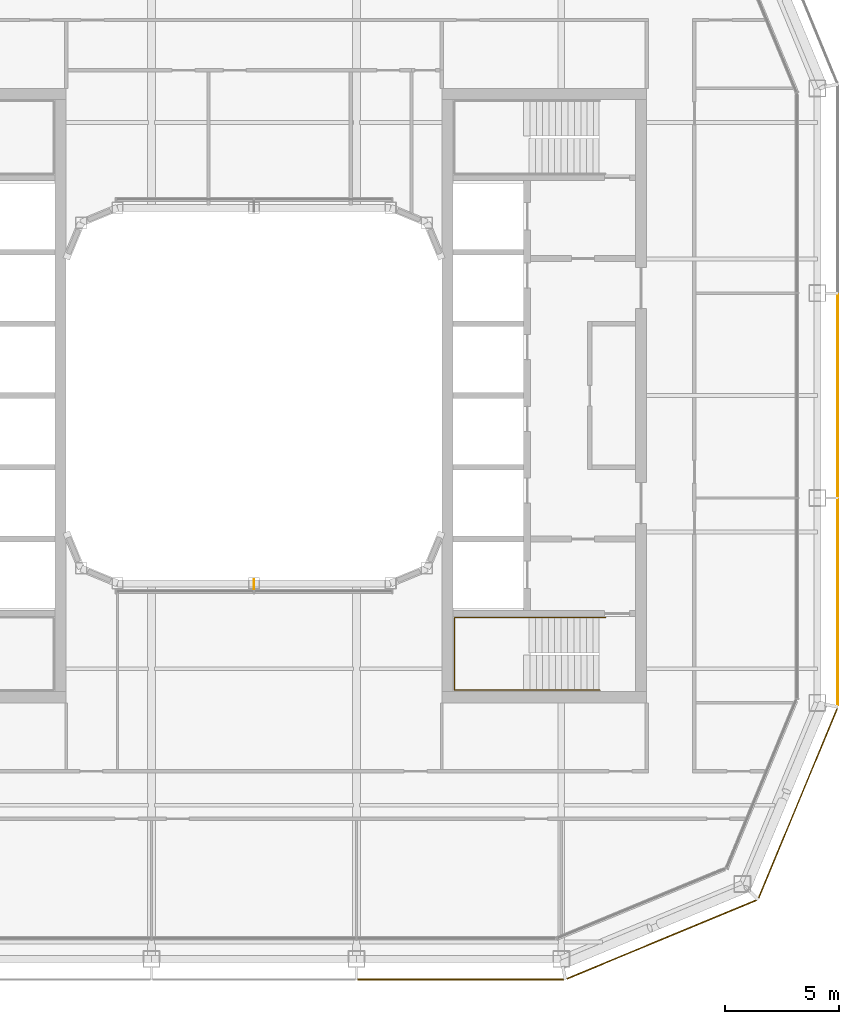
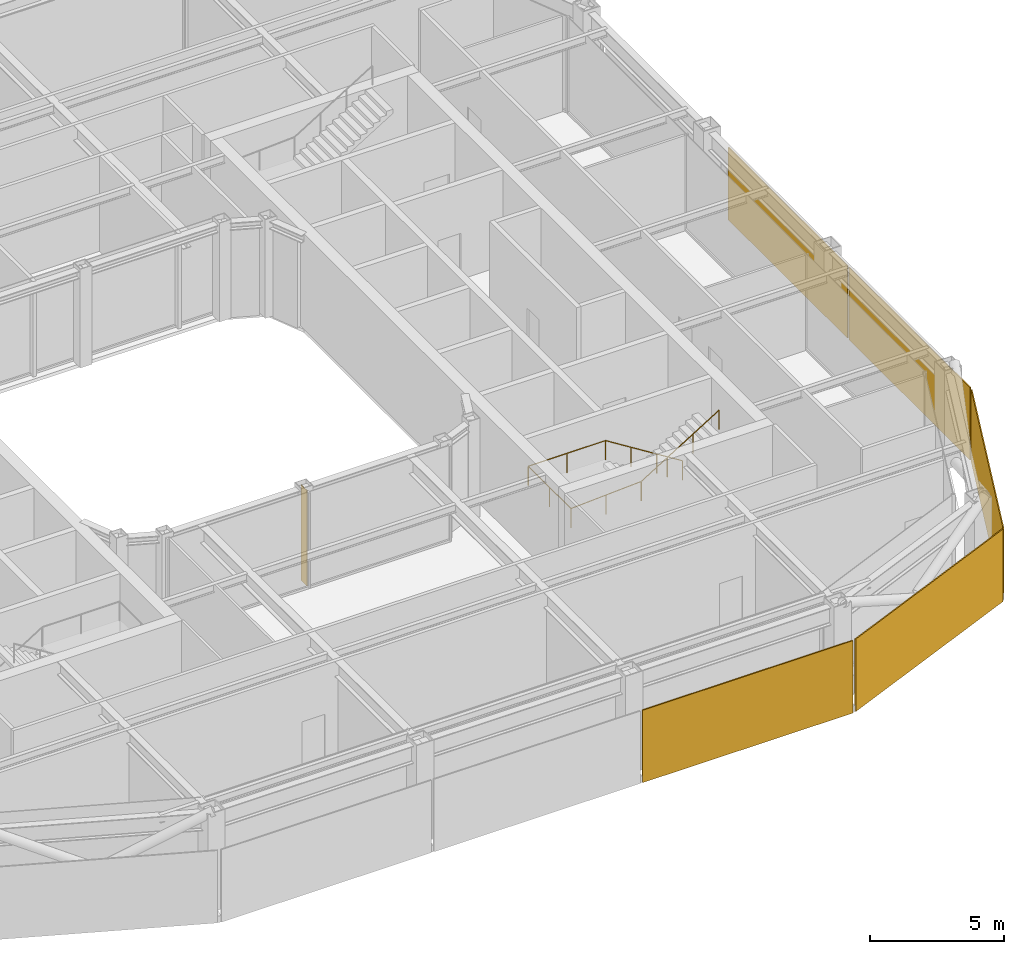
# One storey, part 15 of 17: 5 coverings, 1 railing, 1 shading device.
"""IFC4 building model written with IfcOpenShell, lengths in metres."""

from ifc_helpers import new_model, si_unit, direction, frame, origin, origin_2d, place, context, subcontext, project, spatial, rectangle, circle, extrude, material, layer, layer_set, type_object, element, save


model = new_model("IFC4")

# Units and contexts
model_context = context("Model", 3, precision=1e-05, world=origin(), true_north=direction((0.0, 1.0)))
body_context = subcontext(model_context, "Body", "Model", "MODEL_VIEW")
ifc_project = project(units=[si_unit("LENGTHUNIT", "METRE"), si_unit("AREAUNIT", "SQUARE_METRE"), si_unit("VOLUMEUNIT", "CUBIC_METRE"), si_unit("PLANEANGLEUNIT", "RADIAN"), si_unit("MASSUNIT", "GRAM", prefix="KILO")], contexts=[model_context])

# Site, building, storey
site_placement = place(None, origin())
site = spatial("IfcSite", under=ifc_project, at=site_placement, CompositionType="ELEMENT")
building_placement = place(site_placement, origin())
building = spatial("IfcBuilding", under=site, at=building_placement, Name="Siwar Civic Tower", CompositionType="ELEMENT")
storey_placement = place(building_placement, frame((0.0, 0.0, 289.699951171875)))
storey = spatial("IfcBuildingStorey", under=building, at=storey_placement, Name="L62", CompositionType="ELEMENT", Elevation=289.699951171875)

# Railing
ifc_material_1 = material(Name="Stainless steel", Category="steel")
railing_type = type_object("IfcRailingType", Name="CORE-STAIR-HANDRAIL", PredefinedType="HANDRAIL", material=ifc_material_1)
railing_placement = place(storey_placement, frame((15.449951171875, -9.758056640625, 0.173095703125)))
element("IfcRailing", 1, at=railing_placement, inside=storey, type_object=railing_type, Name="Stair handrail ST4", PredefinedType="HANDRAIL", context=body_context, shape_type="SweptSolid", body=[
    extrude(circle(Radius=0.02001953125, at=origin_2d()), frame((0.0, 0.0, 0.8798828125), z_axis=(-0.847063342986, 0.0, 0.531491950051), x_axis=(0.0, -1.0, 0.0)), (0.0, 0.0, 1.0), 3.90771484375),
    extrude(circle(Radius=0.02001953125, at=origin_2d()), frame((-3.31005859375, 0.0, 2.956787109375), z_axis=(-1.0, 0.0, 0.0), x_axis=(0.0, -1.0, 0.0)), (0.0, 0.0, 1.0), 3.331787109375),
    extrude(circle(Radius=0.02001953125, at=origin_2d()), frame((-6.641845703125, 0.0, 2.956787109375), z_axis=(0.0, -1.0, 0.0), x_axis=(1.0, 0.0, 0.0)), (0.0, 0.0, 1.0), 3.183837890625),
    extrude(circle(Radius=0.02001953125, at=origin_2d()), frame((-6.641845703125, -3.183837890625, 2.956787109375), z_axis=(0.99837434197, 0.0, 0.056997134106), x_axis=(0.0, 1.0, 0.0)), (0.0, 0.0, 1.0), 3.036865234375),
    extrude(circle(Radius=0.02001953125, at=origin_2d()), frame((-3.60986328125, -3.183837890625, 3.1298828125), z_axis=(0.850606129759, 0.0, 0.525803396734), x_axis=(0.0, 1.0, 0.0)), (0.0, 0.0, 1.0), 3.949951171875),
    extrude(circle(Radius=0.02001953125, at=origin_2d()), origin(), (0.0, 0.0, 1.0), 0.85986328125),
    extrude(circle(Radius=0.02001953125, at=origin_2d()), frame((-1.103271484375, 0.0, 0.6923828125)), (0.0, 0.0, 1.0), 0.85986328125),
    extrude(circle(Radius=0.02001953125, at=origin_2d()), frame((-2.206787109375, 0.0, 1.384521484375)), (0.0, 0.0, 1.0), 0.85986328125),
    extrude(circle(Radius=0.02001953125, at=origin_2d()), frame((-3.31005859375, 0.0, 2.076904296875)), (0.0, 0.0, 1.0), 0.85986328125),
    extrude(circle(Radius=0.02001953125, at=origin_2d()), frame((-4.97607421875, 0.0, 2.076904296875)), (0.0, 0.0, 1.0), 0.85986328125),
    extrude(circle(Radius=0.02001953125, at=origin_2d()), frame((-6.641845703125, 0.0, 2.076904296875)), (0.0, 0.0, 1.0), 0.85986328125),
    extrude(circle(Radius=0.02001953125, at=origin_2d()), frame((-6.641845703125, -1.591796875, 2.076904296875)), (0.0, 0.0, 1.0), 0.85986328125),
    extrude(circle(Radius=0.02001953125, at=origin_2d()), frame((-6.641845703125, -3.183837890625, 2.076904296875)), (0.0, 0.0, 1.0), 0.85986328125),
    extrude(circle(Radius=0.02001953125, at=origin_2d()), frame((-5.1259765625, -3.183837890625, 2.16357421875)), (0.0, 0.0, 1.0), 0.85986328125),
    extrude(circle(Radius=0.02001953125, at=origin_2d()), frame((-3.60986328125, -3.183837890625, 2.25)), (0.0, 0.0, 1.0), 0.85986328125),
    extrude(circle(Radius=0.02001953125, at=origin_2d()), frame((-2.489990234375, -3.183837890625, 2.9423828125)), (0.0, 0.0, 1.0), 0.85986328125),
    extrude(circle(Radius=0.02001953125, at=origin_2d()), frame((-1.369873046875, -3.183837890625, 3.634521484375)), (0.0, 0.0, 1.0), 0.85986328125),
    extrude(circle(Radius=0.02001953125, at=origin_2d()), frame((-0.25, -3.183837890625, 4.326904296875)), (0.0, 0.0, 1.0), 0.85986328125),
])

# Shading device
ifc_material_2 = material(Name="Aluminium 6063-T6", Category="aluminium")
ifc_layer_1 = layer(ifc_material_2, 0.02001953125)
ifc_layer_set_1 = layer_set([ifc_layer_1], Name="Aluminium 6063-T6")
shading_device_type = type_object("IfcShadingDeviceType", Name="ENV-FIN", PredefinedType="JALOUSIE", material=ifc_layer_set_1)
shading_device_placement = place(storey_placement, frame((0.0, -8.294921875, 0.0), z_axis=(0.0, 0.0, 1.0), x_axis=(1.0, 0.0, 0.0)))
element("IfcShadingDevice", 2, at=shading_device_placement, inside=storey, type_object=shading_device_type, Name="SUNSHADE fin WS 1", PredefinedType="JALOUSIE", context=body_context, shape_type="SweptSolid", body=[
    extrude(rectangle(XDim=0.02001953125, YDim=0.449951171875, at=origin_2d()), origin(), (0.0, 0.0, 1.0), 4.35009765625),
])

# Coverings
ifc_material_3 = material(Name="Perforated aluminium cassette, pale metal", Category="aluminium")
ifc_layer_2 = layer(ifc_material_3, 0.0400390625)
ifc_layer_set_2 = layer_set([ifc_layer_2], Name="Perforated aluminium cassette, pale metal")
covering_type_1 = type_object("IfcCoveringType", Name="ENV-OUTER SKIN OS-1", PredefinedType="CLADDING", material=ifc_layer_set_2)
covering_1_placement = place(storey_placement, frame((25.64990234375, -9.07958984375, -0.14990234375), z_axis=(0.0, 0.0, 1.0), x_axis=(0.0, 1.0, 0.0)))
element("IfcCovering", 3, at=covering_1_placement, inside=storey, type_object=covering_type_1, Name="OUTER SKIN OS-1 E 1", PredefinedType="CLADDING", context=body_context, shape_type="SweptSolid", body=[
    extrude(rectangle(XDim=9.05908203125, YDim=0.0400390625, at=origin_2d()), origin(), (0.0, 0.0, 1.0), 3.300048828125),
])
covering_2_placement = place(storey_placement, frame((25.64990234375, 0.0, -0.14990234375), z_axis=(0.0, 0.0, 1.0), x_axis=(0.0, 1.0, 0.0)))
element("IfcCovering", 4, at=covering_2_placement, inside=storey, type_object=covering_type_1, Name="OUTER SKIN OS-1 E 2", PredefinedType="CLADDING", context=body_context, shape_type="SweptSolid", body=[
    extrude(rectangle(XDim=8.89990234375, YDim=0.0400390625, at=origin_2d()), origin(), (0.0, 0.0, 1.0), 3.300048828125),
])
ifc_material_4 = material(Name="Perforated aluminium cassette, pale metal", Category="aluminium")
ifc_layer_3 = layer(ifc_material_4, 0.044921875)
ifc_layer_set_3 = layer_set([ifc_layer_3], Name="Perforated aluminium cassette, pale metal")
covering_type_2 = type_object("IfcCoveringType", Name="ENV-OUTER SKIN OS-2", PredefinedType="CLADDING", material=ifc_layer_set_3)
covering_3_placement = place(storey_placement, frame((23.89697265625, -17.911376953125, -0.14990234375), z_axis=(0.0, 0.0, 1.0), x_axis=(0.382683432365, 0.923879532511, 0.0)))
element("IfcCovering", 5, at=covering_3_placement, inside=storey, type_object=covering_type_2, Name="OUTER SKIN OS-2 SE2 1", PredefinedType="CLADDING", context=body_context, shape_type="SweptSolid", body=[
    extrude(rectangle(XDim=9.022216796875, YDim=0.044921875, at=origin_2d()), origin(), (0.0, 0.0, 1.0), 3.300048828125),
])
ifc_material_5 = material(Name="Perforated aluminium cassette, pale metal", Category="aluminium")
ifc_layer_4 = layer(ifc_material_5, 0.050048828125)
ifc_layer_set_4 = layer_set([ifc_layer_4], Name="Perforated aluminium cassette, pale metal")
covering_type_3 = type_object("IfcCoveringType", Name="ENV-OUTER SKIN OS-3", PredefinedType="CLADDING", material=ifc_layer_set_4)
covering_4_placement = place(storey_placement, frame((17.911376953125, -23.89697265625, -0.14990234375), z_axis=(0.0, 0.0, 1.0), x_axis=(0.923879532511, 0.382683432365, 0.0)))
element("IfcCovering", 6, at=covering_4_placement, inside=storey, type_object=covering_type_3, Name="OUTER SKIN OS-3 SE1 1", PredefinedType="CLADDING", context=body_context, shape_type="SweptSolid", body=[
    extrude(rectangle(XDim=9.022216796875, YDim=0.050048828125, at=origin_2d()), origin(), (0.0, 0.0, 1.0), 3.300048828125),
])
ifc_material_6 = material(Name="Perforated aluminium cassette, pale metal", Category="aluminium")
ifc_layer_5 = layer(ifc_material_6, 0.054931640625)
ifc_layer_set_5 = layer_set([ifc_layer_5], Name="Perforated aluminium cassette, pale metal")
covering_type_4 = type_object("IfcCoveringType", Name="ENV-OUTER SKIN OS-4", PredefinedType="CLADDING", material=ifc_layer_set_5)
covering_5_placement = place(storey_placement, frame((9.07958984375, -25.64990234375, -0.14990234375), z_axis=(0.0, 0.0, 1.0), x_axis=(1.0, 0.0, 0.0)))
element("IfcCovering", 7, at=covering_5_placement, inside=storey, type_object=covering_type_4, Name="OUTER SKIN OS-4 S 3", PredefinedType="CLADDING", context=body_context, shape_type="SweptSolid", body=[
    extrude(rectangle(XDim=9.05908203125, YDim=0.054931640625, at=origin_2d()), origin(), (0.0, 0.0, 1.0), 3.300048828125),
])

save(model, "model.ifc")
